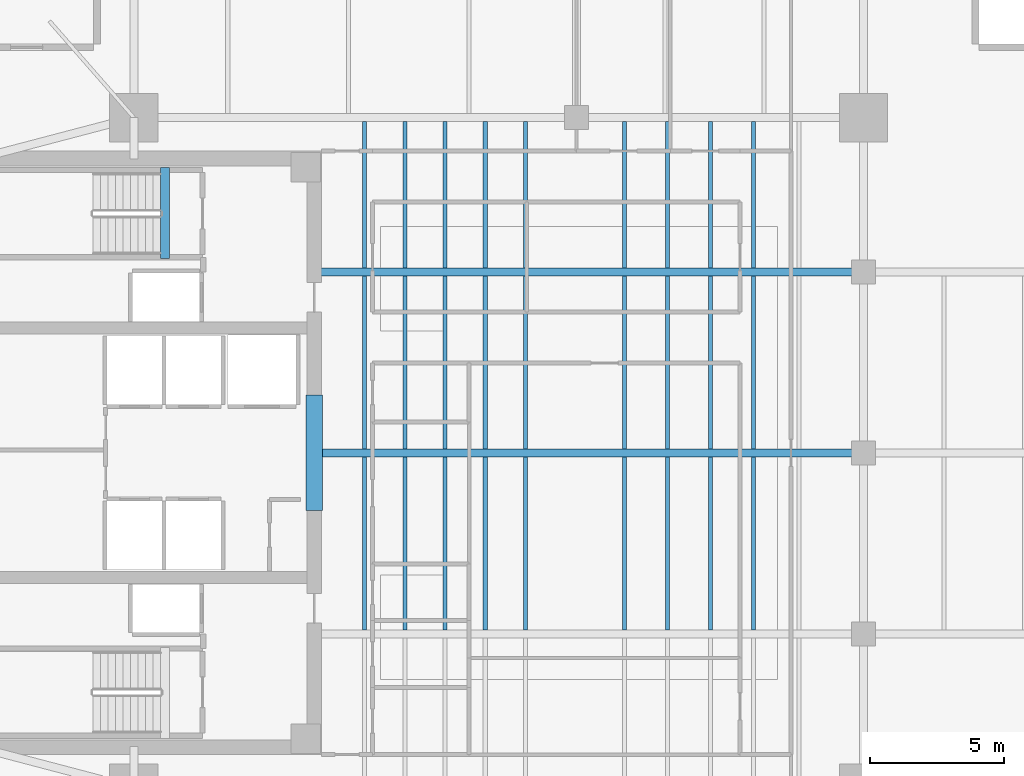
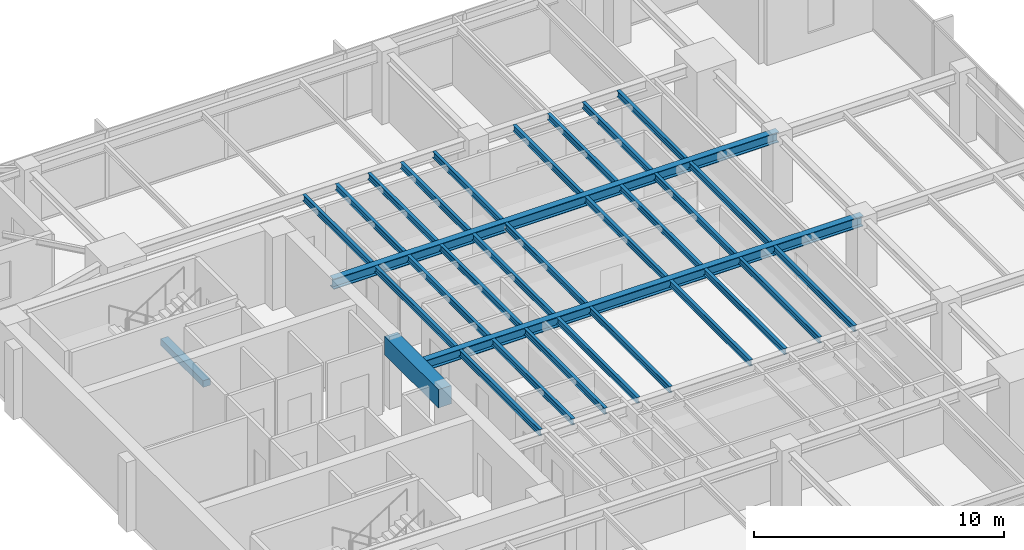
# One storey, part 3 of 14: 31 beams.
"""IFC4 building model written with IfcOpenShell, lengths in metres."""

from ifc_helpers import new_model, si_unit, direction, frame, origin, origin_2d, place, context, subcontext, project, spatial, rectangle, i_section, extrude, material, material_profile, profile_set, type_object, element, save


model = new_model("IFC4")

# Units and contexts
model_context = context("Model", 3, precision=1e-05, world=origin(), true_north=direction((0.0, 1.0)))
body_context = subcontext(model_context, "Body", "Model", "MODEL_VIEW")
ifc_project = project(units=[si_unit("LENGTHUNIT", "METRE"), si_unit("AREAUNIT", "SQUARE_METRE"), si_unit("VOLUMEUNIT", "CUBIC_METRE"), si_unit("PLANEANGLEUNIT", "RADIAN"), si_unit("MASSUNIT", "GRAM", prefix="KILO")], contexts=[model_context])

# Site, building, storey
site_placement = place(None, origin())
site = spatial("IfcSite", under=ifc_project, at=site_placement, CompositionType="ELEMENT")
building_placement = place(site_placement, origin())
building = spatial("IfcBuilding", under=site, at=building_placement, Name="Kinhvarn Gate Tower", CompositionType="ELEMENT")
storey_placement = place(building_placement, frame((0.0, 0.0, 234.199951171875)))
storey = spatial("IfcBuildingStorey", under=building, at=storey_placement, Name="L62", CompositionType="ELEMENT", Elevation=234.199951171875)

# Beams
ifc_material_1 = material(Name="Concrete C60/75", Category="concrete")
ifc_material_profile_1 = material_profile(ifc_material_1, rectangle(XDim=0.60009765625, YDim=0.89990234375, at=origin_2d()), Name="RC 600x900")
ifc_profile_set_1 = profile_set([ifc_material_profile_1], Name="Concrete C60/75")
beam_type_1 = type_object("IfcBeamType", Name="BM-CB-900", PredefinedType="LINTEL", material=ifc_profile_set_1)
beam_1_placement = place(storey_placement, frame((17.72509765625, 23.10009765625, 2.920166015625), z_axis=(0.0, 1.0, 0.0), x_axis=(-1.0, 0.0, 0.0)))
element("IfcBeam", 1, at=beam_1_placement, inside=storey, type_object=beam_type_1, Name="Core East Portal Coupling Beam L62", PredefinedType="LINTEL", context=body_context, shape_type="SweptSolid", body=[
    extrude(rectangle(XDim=0.60009765625, YDim=0.89990234375, at=origin_2d()), origin(), (0.0, 0.0, 1.0), 4.2998046875),
])
ifc_material_2 = material(Name="Concrete C50/60", Category="concrete")
ifc_material_profile_2 = material_profile(ifc_material_2, rectangle(XDim=0.340087890625, YDim=0.320068359375, at=origin_2d()), Name="RC 340x320")
ifc_profile_set_2 = profile_set([ifc_material_profile_2], Name="Concrete C50/60")
beam_type_2 = type_object("IfcBeamType", Name="BM-LND-500", PredefinedType="BEAM", material=ifc_profile_set_2)
beam_2_placement = place(storey_placement, frame((12.1650390625, 32.5, -0.159912109375), z_axis=(0.0, 1.0, 0.0), x_axis=(-1.0, 0.0, 0.0)))
element("IfcBeam", 2, at=beam_2_placement, inside=storey, type_object=beam_type_2, Name="Stair ST2 Landing Nosing Beam (L62)", PredefinedType="BEAM", context=body_context, shape_type="SweptSolid", body=[
    extrude(rectangle(XDim=0.340087890625, YDim=0.320068359375, at=origin_2d()), origin(), (0.0, 0.0, 1.0), 3.39990234375),
])
ifc_material_3 = material(Name="Steel S355", Category="steel")
ifc_material_profile_3 = material_profile(ifc_material_3, i_section(OverallWidth=0.300048828125, OverallDepth=0.5, WebThickness=0.014404296875, FlangeThickness=0.028076171875, at=origin_2d()), Name="HEB 500")
ifc_profile_set_3 = profile_set([ifc_material_profile_3], Name="Steel S355")
beam_type_3 = type_object("IfcBeamType", Name="STL-HEB500", PredefinedType="BEAM", material=ifc_profile_set_3)
beam_3_placement = place(storey_placement, frame((18.02490234375, 25.25, 3.1201171875), z_axis=(1.0, 0.0, 0.0), x_axis=(0.0, 1.0, 0.0)))
element("IfcBeam", 3, at=beam_3_placement, inside=storey, type_object=beam_type_3, Name="Floor Beam PG-14 (L62 EW1-Y25)", PredefinedType="BEAM", context=body_context, shape_type="SweptSolid", body=[
    extrude(i_section(OverallWidth=0.300048828125, OverallDepth=0.5, WebThickness=0.014404296875, FlangeThickness=0.028076171875, at=origin_2d()), origin(), (0.0, 0.0, 1.0), 20.175048828125),
])
beam_4_placement = place(storey_placement, frame((17.64990234375, 32.0, 3.1201171875), z_axis=(1.0, 0.0, 0.0), x_axis=(0.0, 1.0, 0.0)))
element("IfcBeam", 4, at=beam_4_placement, inside=storey, type_object=beam_type_3, Name="Floor Beam PG-14 (L62 EW1-Y32)", PredefinedType="BEAM", context=body_context, shape_type="SweptSolid", body=[
    extrude(i_section(OverallWidth=0.300048828125, OverallDepth=0.5, WebThickness=0.014404296875, FlangeThickness=0.028076171875, at=origin_2d()), origin(), (0.0, 0.0, 1.0), 20.550048828125),
])
ifc_material_profile_4 = material_profile(ifc_material_3, i_section(OverallWidth=0.14990234375, OverallDepth=0.300048828125, WebThickness=0.007080078125, FlangeThickness=0.0107421875, at=origin_2d()), Name="IPE 300")
ifc_profile_set_4 = profile_set([ifc_material_profile_4], Name="Steel S355")
beam_type_4 = type_object("IfcBeamType", Name="STL-IPE300", PredefinedType="JOIST", material=ifc_profile_set_4)
for number, where, z_axis, x_axis, name in (
    (5, (19.60009765625, 18.64990234375, 3.219970703125), (0.0, 1.0, 0.0), (-1.0, 0.0, 0.0), "Floor Joist SB-02 (L62 JC-X196-1)"),
    (6, (19.60009765625, 25.39990234375, 3.219970703125), (0.0, 1.0, 0.0), (-1.0, 0.0, 0.0), "Floor Joist SB-02 (L62 JC-X196-2)"),
):
    element("IfcBeam", number, at=place(storey_placement, frame(where, z_axis=z_axis, x_axis=x_axis)), inside=storey, type_object=beam_type_4, Name=name, PredefinedType="JOIST", context=body_context, shape_type="SweptSolid", body=[
        extrude(i_section(OverallWidth=0.14990234375, OverallDepth=0.300048828125, WebThickness=0.007080078125, FlangeThickness=0.0107421875, at=origin_2d()), origin(), (0.0, 0.0, 1.0), 6.4501953125),
    ])
beam_5_placement = place(storey_placement, frame((19.60009765625, 32.14990234375, 3.219970703125), z_axis=(0.0, 1.0, 0.0), x_axis=(-1.0, 0.0, 0.0)))
element("IfcBeam", 7, at=beam_5_placement, inside=storey, type_object=beam_type_4, Name="Floor Joist SB-02 (L62 JC-X196-3)", PredefinedType="JOIST", context=body_context, shape_type="SweptSolid", body=[
    extrude(i_section(OverallWidth=0.14990234375, OverallDepth=0.300048828125, WebThickness=0.007080078125, FlangeThickness=0.0107421875, at=origin_2d()), origin(), (0.0, 0.0, 1.0), 5.4501953125),
])
for number, where, z_axis, x_axis, name in (
    (8, (21.10009765625, 18.64990234375, 3.219970703125), (0.0, 1.0, 0.0), (-1.0, 0.0, 0.0), "Floor Joist SB-02 (L62 JC-X211-1)"),
    (9, (21.10009765625, 25.39990234375, 3.219970703125), (0.0, 1.0, 0.0), (-1.0, 0.0, 0.0), "Floor Joist SB-02 (L62 JC-X211-2)"),
):
    element("IfcBeam", number, at=place(storey_placement, frame(where, z_axis=z_axis, x_axis=x_axis)), inside=storey, type_object=beam_type_4, Name=name, PredefinedType="JOIST", context=body_context, shape_type="SweptSolid", body=[
        extrude(i_section(OverallWidth=0.14990234375, OverallDepth=0.300048828125, WebThickness=0.007080078125, FlangeThickness=0.0107421875, at=origin_2d()), origin(), (0.0, 0.0, 1.0), 6.4501953125),
    ])
beam_6_placement = place(storey_placement, frame((21.10009765625, 32.14990234375, 3.219970703125), z_axis=(0.0, 1.0, 0.0), x_axis=(-1.0, 0.0, 0.0)))
element("IfcBeam", 10, at=beam_6_placement, inside=storey, type_object=beam_type_4, Name="Floor Joist SB-02 (L62 JC-X211-3)", PredefinedType="JOIST", context=body_context, shape_type="SweptSolid", body=[
    extrude(i_section(OverallWidth=0.14990234375, OverallDepth=0.300048828125, WebThickness=0.007080078125, FlangeThickness=0.0107421875, at=origin_2d()), origin(), (0.0, 0.0, 1.0), 5.4501953125),
])
for number, where, z_axis, x_axis, name in (
    (11, (22.60009765625, 18.64990234375, 3.219970703125), (0.0, 1.0, 0.0), (-1.0, 0.0, 0.0), "Floor Joist SB-02 (L62 JC-X226-1)"),
    (12, (22.60009765625, 25.39990234375, 3.219970703125), (0.0, 1.0, 0.0), (-1.0, 0.0, 0.0), "Floor Joist SB-02 (L62 JC-X226-2)"),
):
    element("IfcBeam", number, at=place(storey_placement, frame(where, z_axis=z_axis, x_axis=x_axis)), inside=storey, type_object=beam_type_4, Name=name, PredefinedType="JOIST", context=body_context, shape_type="SweptSolid", body=[
        extrude(i_section(OverallWidth=0.14990234375, OverallDepth=0.300048828125, WebThickness=0.007080078125, FlangeThickness=0.0107421875, at=origin_2d()), origin(), (0.0, 0.0, 1.0), 6.4501953125),
    ])
beam_7_placement = place(storey_placement, frame((22.60009765625, 32.14990234375, 3.219970703125), z_axis=(0.0, 1.0, 0.0), x_axis=(-1.0, 0.0, 0.0)))
element("IfcBeam", 13, at=beam_7_placement, inside=storey, type_object=beam_type_4, Name="Floor Joist SB-02 (L62 JC-X226-3)", PredefinedType="JOIST", context=body_context, shape_type="SweptSolid", body=[
    extrude(i_section(OverallWidth=0.14990234375, OverallDepth=0.300048828125, WebThickness=0.007080078125, FlangeThickness=0.0107421875, at=origin_2d()), origin(), (0.0, 0.0, 1.0), 5.4501953125),
])
for number, where, z_axis, x_axis, name in (
    (14, (24.10009765625, 18.64990234375, 3.219970703125), (0.0, 1.0, 0.0), (-1.0, 0.0, 0.0), "Floor Joist SB-02 (L62 JC-X241-1)"),
    (15, (24.10009765625, 25.39990234375, 3.219970703125), (0.0, 1.0, 0.0), (-1.0, 0.0, 0.0), "Floor Joist SB-02 (L62 JC-X241-2)"),
):
    element("IfcBeam", number, at=place(storey_placement, frame(where, z_axis=z_axis, x_axis=x_axis)), inside=storey, type_object=beam_type_4, Name=name, PredefinedType="JOIST", context=body_context, shape_type="SweptSolid", body=[
        extrude(i_section(OverallWidth=0.14990234375, OverallDepth=0.300048828125, WebThickness=0.007080078125, FlangeThickness=0.0107421875, at=origin_2d()), origin(), (0.0, 0.0, 1.0), 6.4501953125),
    ])
beam_8_placement = place(storey_placement, frame((24.10009765625, 32.14990234375, 3.219970703125), z_axis=(0.0, 1.0, 0.0), x_axis=(-1.0, 0.0, 0.0)))
element("IfcBeam", 16, at=beam_8_placement, inside=storey, type_object=beam_type_4, Name="Floor Joist SB-02 (L62 JC-X241-3)", PredefinedType="JOIST", context=body_context, shape_type="SweptSolid", body=[
    extrude(i_section(OverallWidth=0.14990234375, OverallDepth=0.300048828125, WebThickness=0.007080078125, FlangeThickness=0.0107421875, at=origin_2d()), origin(), (0.0, 0.0, 1.0), 5.4501953125),
])
for number, where, z_axis, x_axis, name in (
    (17, (25.60009765625, 18.64990234375, 3.219970703125), (0.0, 1.0, 0.0), (-1.0, 0.0, 0.0), "Floor Joist SB-02 (L62 JC-X256-1)"),
    (18, (25.60009765625, 25.39990234375, 3.219970703125), (0.0, 1.0, 0.0), (-1.0, 0.0, 0.0), "Floor Joist SB-02 (L62 JC-X256-2)"),
):
    element("IfcBeam", number, at=place(storey_placement, frame(where, z_axis=z_axis, x_axis=x_axis)), inside=storey, type_object=beam_type_4, Name=name, PredefinedType="JOIST", context=body_context, shape_type="SweptSolid", body=[
        extrude(i_section(OverallWidth=0.14990234375, OverallDepth=0.300048828125, WebThickness=0.007080078125, FlangeThickness=0.0107421875, at=origin_2d()), origin(), (0.0, 0.0, 1.0), 6.4501953125),
    ])
beam_9_placement = place(storey_placement, frame((25.60009765625, 32.14990234375, 3.219970703125), z_axis=(0.0, 1.0, 0.0), x_axis=(-1.0, 0.0, 0.0)))
element("IfcBeam", 19, at=beam_9_placement, inside=storey, type_object=beam_type_4, Name="Floor Joist SB-02 (L62 JC-X256-3)", PredefinedType="JOIST", context=body_context, shape_type="SweptSolid", body=[
    extrude(i_section(OverallWidth=0.14990234375, OverallDepth=0.300048828125, WebThickness=0.007080078125, FlangeThickness=0.0107421875, at=origin_2d()), origin(), (0.0, 0.0, 1.0), 5.4501953125),
])
for number, where, z_axis, x_axis, name in (
    (20, (29.300048828125, 18.64990234375, 3.219970703125), (0.0, 1.0, 0.0), (-1.0, 0.0, 0.0), "Floor Joist SB-02 (L62 JC-X293-1)"),
    (21, (29.300048828125, 25.39990234375, 3.219970703125), (0.0, 1.0, 0.0), (-1.0, 0.0, 0.0), "Floor Joist SB-02 (L62 JC-X293-2)"),
):
    element("IfcBeam", number, at=place(storey_placement, frame(where, z_axis=z_axis, x_axis=x_axis)), inside=storey, type_object=beam_type_4, Name=name, PredefinedType="JOIST", context=body_context, shape_type="SweptSolid", body=[
        extrude(i_section(OverallWidth=0.14990234375, OverallDepth=0.300048828125, WebThickness=0.007080078125, FlangeThickness=0.0107421875, at=origin_2d()), origin(), (0.0, 0.0, 1.0), 6.4501953125),
    ])
beam_10_placement = place(storey_placement, frame((29.300048828125, 32.14990234375, 3.219970703125), z_axis=(0.0, 1.0, 0.0), x_axis=(-1.0, 0.0, 0.0)))
element("IfcBeam", 22, at=beam_10_placement, inside=storey, type_object=beam_type_4, Name="Floor Joist SB-02 (L62 JC-X293-3)", PredefinedType="JOIST", context=body_context, shape_type="SweptSolid", body=[
    extrude(i_section(OverallWidth=0.14990234375, OverallDepth=0.300048828125, WebThickness=0.007080078125, FlangeThickness=0.0107421875, at=origin_2d()), origin(), (0.0, 0.0, 1.0), 5.4501953125),
])
for number, where, z_axis, x_axis, name in (
    (23, (30.89990234375, 18.64990234375, 3.219970703125), (0.0, 1.0, 0.0), (-1.0, 0.0, 0.0), "Floor Joist SB-02 (L62 JC-X309-1)"),
    (24, (30.89990234375, 25.39990234375, 3.219970703125), (0.0, 1.0, 0.0), (-1.0, 0.0, 0.0), "Floor Joist SB-02 (L62 JC-X309-2)"),
):
    element("IfcBeam", number, at=place(storey_placement, frame(where, z_axis=z_axis, x_axis=x_axis)), inside=storey, type_object=beam_type_4, Name=name, PredefinedType="JOIST", context=body_context, shape_type="SweptSolid", body=[
        extrude(i_section(OverallWidth=0.14990234375, OverallDepth=0.300048828125, WebThickness=0.007080078125, FlangeThickness=0.0107421875, at=origin_2d()), origin(), (0.0, 0.0, 1.0), 6.4501953125),
    ])
beam_11_placement = place(storey_placement, frame((30.89990234375, 32.14990234375, 3.219970703125), z_axis=(0.0, 1.0, 0.0), x_axis=(-1.0, 0.0, 0.0)))
element("IfcBeam", 25, at=beam_11_placement, inside=storey, type_object=beam_type_4, Name="Floor Joist SB-02 (L62 JC-X309-3)", PredefinedType="JOIST", context=body_context, shape_type="SweptSolid", body=[
    extrude(i_section(OverallWidth=0.14990234375, OverallDepth=0.300048828125, WebThickness=0.007080078125, FlangeThickness=0.0107421875, at=origin_2d()), origin(), (0.0, 0.0, 1.0), 5.4501953125),
])
for number, where, z_axis, x_axis, name in (
    (26, (32.5, 18.64990234375, 3.219970703125), (0.0, 1.0, 0.0), (-1.0, 0.0, 0.0), "Floor Joist SB-02 (L62 JC-X325-1)"),
    (27, (32.5, 25.39990234375, 3.219970703125), (0.0, 1.0, 0.0), (-1.0, 0.0, 0.0), "Floor Joist SB-02 (L62 JC-X325-2)"),
):
    element("IfcBeam", number, at=place(storey_placement, frame(where, z_axis=z_axis, x_axis=x_axis)), inside=storey, type_object=beam_type_4, Name=name, PredefinedType="JOIST", context=body_context, shape_type="SweptSolid", body=[
        extrude(i_section(OverallWidth=0.14990234375, OverallDepth=0.300048828125, WebThickness=0.007080078125, FlangeThickness=0.0107421875, at=origin_2d()), origin(), (0.0, 0.0, 1.0), 6.4501953125),
    ])
beam_12_placement = place(storey_placement, frame((32.5, 32.14990234375, 3.219970703125), z_axis=(0.0, 1.0, 0.0), x_axis=(-1.0, 0.0, 0.0)))
element("IfcBeam", 28, at=beam_12_placement, inside=storey, type_object=beam_type_4, Name="Floor Joist SB-02 (L62 JC-X325-3)", PredefinedType="JOIST", context=body_context, shape_type="SweptSolid", body=[
    extrude(i_section(OverallWidth=0.14990234375, OverallDepth=0.300048828125, WebThickness=0.007080078125, FlangeThickness=0.0107421875, at=origin_2d()), origin(), (0.0, 0.0, 1.0), 5.4501953125),
])
for number, where, z_axis, x_axis, name in (
    (29, (34.10009765625, 18.64990234375, 3.219970703125), (0.0, 1.0, 0.0), (-1.0, 0.0, 0.0), "Floor Joist SB-02 (L62 JC-X341-1)"),
    (30, (34.10009765625, 25.39990234375, 3.219970703125), (0.0, 1.0, 0.0), (-1.0, 0.0, 0.0), "Floor Joist SB-02 (L62 JC-X341-2)"),
):
    element("IfcBeam", number, at=place(storey_placement, frame(where, z_axis=z_axis, x_axis=x_axis)), inside=storey, type_object=beam_type_4, Name=name, PredefinedType="JOIST", context=body_context, shape_type="SweptSolid", body=[
        extrude(i_section(OverallWidth=0.14990234375, OverallDepth=0.300048828125, WebThickness=0.007080078125, FlangeThickness=0.0107421875, at=origin_2d()), origin(), (0.0, 0.0, 1.0), 6.4501953125),
    ])
beam_13_placement = place(storey_placement, frame((34.10009765625, 32.14990234375, 3.219970703125), z_axis=(0.0, 1.0, 0.0), x_axis=(-1.0, 0.0, 0.0)))
element("IfcBeam", 31, at=beam_13_placement, inside=storey, type_object=beam_type_4, Name="Floor Joist SB-02 (L62 JC-X341-3)", PredefinedType="JOIST", context=body_context, shape_type="SweptSolid", body=[
    extrude(i_section(OverallWidth=0.14990234375, OverallDepth=0.300048828125, WebThickness=0.007080078125, FlangeThickness=0.0107421875, at=origin_2d()), origin(), (0.0, 0.0, 1.0), 5.4501953125),
])

save(model, "model.ifc")
